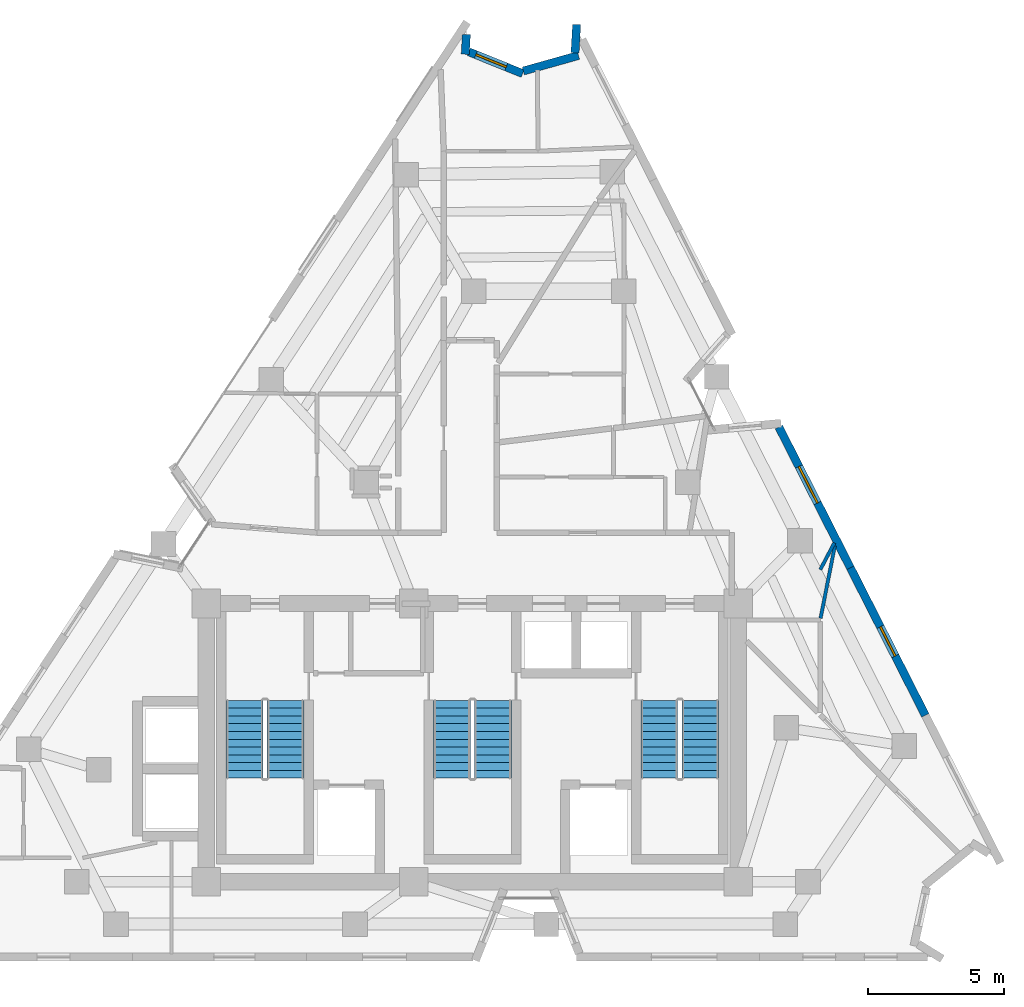
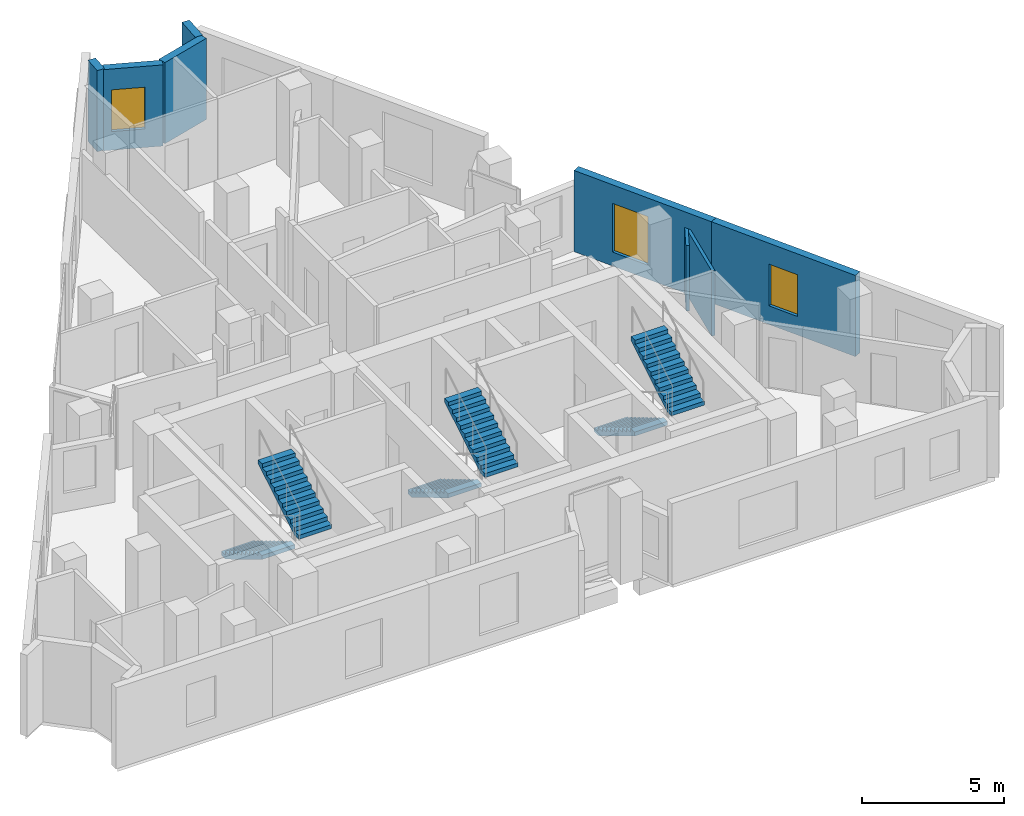
# One storey, part 8 of 9: 8 walls, 6 stair flights, 3 windows, 3 openings, 3 elements without a shape of their own.
"""IFC4 building model written with IfcOpenShell, lengths in metres."""

from ifc_helpers import new_model, si_unit, direction, frame, frame_2d, origin, place, context, subcontext, project, spatial, polyline, rectangle, outline, extrude, material, layer, layer_set, type_object, element, fill, aggregate, save


model = new_model("IFC4")

# Units and contexts
model_context = context("Model", 3, precision=1e-05, world=origin(), true_north=direction((0.0, 1.0)))
body_context = subcontext(model_context, "Body", "Model", "MODEL_VIEW")
ifc_project = project(units=[si_unit("LENGTHUNIT", "METRE"), si_unit("AREAUNIT", "SQUARE_METRE"), si_unit("VOLUMEUNIT", "CUBIC_METRE"), si_unit("PLANEANGLEUNIT", "RADIAN"), si_unit("MASSUNIT", "GRAM", prefix="KILO")], contexts=[model_context])

# Site, building, storey
site_placement = place(None, origin())
site = spatial("IfcSite", under=ifc_project, at=site_placement, CompositionType="ELEMENT")
building_placement = place(site_placement, origin())
building = spatial("IfcBuilding", under=site, at=building_placement, Name="Almagre Mirador Tower", CompositionType="ELEMENT")
storey_placement = place(building_placement, frame((0.0, 0.0, 244.5)))
storey = spatial("IfcBuildingStorey", under=building, at=storey_placement, Name="L63", CompositionType="ELEMENT", Elevation=244.5)

# Wall
ifc_material_1 = material(Name="Precast concrete C50/60", Category="concrete")
ifc_layer_1 = layer(ifc_material_1, 0.300048828125)
ifc_layer_set_1 = layer_set([ifc_layer_1], Name="Precast concrete C50/60")
wall_type_1 = type_object("IfcWallType", Name="WAL-EXT-300", PredefinedType="SOLIDWALL", material=ifc_layer_set_1)
wall_1_placement = place(storey_placement, frame((37.078857421875, 35.607666015625, 0.0), z_axis=(0.0, 0.0, 1.0), x_axis=(-0.056196862548, -0.998419707658, 0.0)))
element("IfcWall", 1, at=wall_1_placement, inside=storey, type_object=wall_type_1, Name="L63 expressed almagre precast frame wall 05", PredefinedType="SOLIDWALL", context=body_context, shape_type="SweptSolid", body=[
    extrude(rectangle(XDim=0.7255859375, YDim=0.300048828125, at=frame_2d((0.36279296875, 0.0))), origin(), (0.0, 0.0, 1.0), 3.5),
])

# Wall, opening, window
wall_2_placement = place(storey_placement, frame((37.171142578125, 34.972412109375, 0.0), z_axis=(0.0, 0.0, 1.0), x_axis=(0.927076098221, -0.37487318937, 0.0)))
wall_2 = element("IfcWall", 2, at=wall_2_placement, inside=storey, type_object=wall_type_1, Name="L63 expressed almagre precast frame wall 06", PredefinedType="SOLIDWALL", context=body_context, shape_type="SweptSolid", body=[
    extrude(rectangle(XDim=2.125732421875, YDim=0.300048828125, at=frame_2d((1.06298828125, 0.0))), origin(), (0.0, 0.0, 1.0), 3.5),
])
opening_1_placement = place(wall_2_placement, frame((0.27490234375, 0.0, 0.800048828125)))
opening_1 = element("IfcOpeningElement", 3, at=opening_1_placement, cuts=wall_2, Name="Opening WN-04", PredefinedType="OPENING", context=body_context, shape_type="SweptSolid", body=[
    extrude(rectangle(XDim=1.199951171875, YDim=1.800048828125, at=frame_2d((0.60009765625, 0.89990234375))), frame((0.0, 0.159902, 0.0), z_axis=(0.0, -1.0, 0.0), x_axis=(1.0, 0.0, 0.0)), (0.0, 0.0, 1.0), 0.320049),
])
ifc_material_2 = material(Name="Dark solar-control laminated hurricane glass", Category="glass")
window_type_1 = type_object("IfcWindowType", Name="WIN-1200X1800", PartitioningType="SINGLE_PANEL", PredefinedType="WINDOW", material=ifc_material_2)
window_1_placement = place(opening_1_placement, origin())
window_1 = element("IfcWindow", 4, at=window_1_placement, inside=storey, type_object=window_type_1, Name="L63 recessed hurricane window L63-UK-KT", OverallHeight=1.800048828125, OverallWidth=1.199951171875, PartitioningType="SINGLE_PANEL", PredefinedType="WINDOW", context=body_context, shape_type="SweptSolid", body=[
    extrude(rectangle(XDim=1.199951171875, YDim=1.800048828125, at=frame_2d((0.60009765625, 0.89990234375))), frame((0.0, 0.030029296875, 0.0), z_axis=(0.0, -1.0, 0.0), x_axis=(1.0, 0.0, 0.0)), (0.0, 0.0, 1.0), 0.06005859375),
])
fill(opening_1, window_1)

# Walls
wall_3_placement = place(storey_placement, frame((39.166015625, 34.27099609375, 0.0), z_axis=(0.0, 0.0, 1.0), x_axis=(0.962897602702, 0.269867016714, 0.0)))
element("IfcWall", 5, at=wall_3_placement, inside=storey, type_object=wall_type_1, Name="L63 expressed almagre precast frame wall 07", PredefinedType="SOLIDWALL", context=body_context, shape_type="SweptSolid", body=[
    extrude(rectangle(XDim=2.1005859375, YDim=0.300048828125, at=frame_2d((1.05029296875, 0.0))), origin(), (0.0, 0.0, 1.0), 3.5),
])
wall_4_placement = place(storey_placement, frame((41.0615234375, 34.934814453125, 0.0), z_axis=(0.0, 0.0, 1.0), x_axis=(0.056067679965, 0.998426970421, 0.0)))
element("IfcWall", 6, at=wall_4_placement, inside=storey, type_object=wall_type_1, Name="L63 expressed almagre precast frame wall 08", PredefinedType="SOLIDWALL", context=body_context, shape_type="SweptSolid", body=[
    extrude(rectangle(XDim=1.040771484375, YDim=0.300048828125, at=frame_2d((0.5205078125, 0.0))), origin(), (0.0, 0.0, 1.0), 3.5),
])

# Wall, opening, window
wall_5_placement = place(storey_placement, frame((48.533203125, 21.22265625, 0.0), z_axis=(0.0, 0.0, 1.0), x_axis=(0.452886731337, -0.891568061664, 0.0)))
wall_5 = element("IfcWall", 7, at=wall_5_placement, inside=storey, type_object=wall_type_1, Name="L63 expressed almagre precast frame wall 13", PredefinedType="SOLIDWALL", context=body_context, shape_type="SweptSolid", body=[
    extrude(rectangle(XDim=5.791748046875, YDim=0.300048828125, at=frame_2d((2.89599609375, 0.0))), origin(), (0.0, 0.0, 1.0), 3.5),
])
opening_2_placement = place(wall_5_placement, frame((1.625, 0.0, 0.60009765625)))
opening_2 = element("IfcOpeningElement", 8, at=opening_2_placement, cuts=wall_5, Name="Opening WN-03", PredefinedType="OPENING", context=body_context, shape_type="SweptSolid", body=[
    extrude(rectangle(XDim=1.5, YDim=2.10009765625, at=frame_2d((0.75, 1.050048828125))), frame((0.0, 0.159902, 0.0), z_axis=(0.0, -1.0, 0.0), x_axis=(1.0, 0.0, 0.0)), (0.0, 0.0, 1.0), 0.320049),
])
ifc_material_3 = material(Name="Dark solar-control laminated hurricane glass", Category="glass")
window_type_2 = type_object("IfcWindowType", Name="WIN-1500X2100", PartitioningType="DOUBLE_PANEL_VERTICAL", PredefinedType="WINDOW", material=ifc_material_3)
window_2_placement = place(opening_2_placement, origin())
window_2 = element("IfcWindow", 9, at=window_2_placement, inside=storey, type_object=window_type_2, Name="L63 recessed hurricane window L63-UE-ST", OverallHeight=2.10009765625, OverallWidth=1.5, PartitioningType="SINGLE_PANEL", PredefinedType="WINDOW", context=body_context, shape_type="SweptSolid", body=[
    extrude(rectangle(XDim=1.5, YDim=2.10009765625, at=frame_2d((0.75, 1.050048828125))), frame((0.0, 0.030029296875, 0.0), z_axis=(0.0, -1.0, 0.0), x_axis=(1.0, 0.0, 0.0)), (0.0, 0.0, 1.0), 0.06005859375),
])
fill(opening_2, window_2)

wall_6_placement = place(storey_placement, frame((51.15625, 16.058837890625, 0.0), z_axis=(0.0, 0.0, 1.0), x_axis=(0.452903032275, -0.891559781146, 0.0)))
wall_6 = element("IfcWall", 10, at=wall_6_placement, inside=storey, type_object=wall_type_1, Name="L63 expressed almagre precast frame wall 14", PredefinedType="SOLIDWALL", context=body_context, shape_type="SweptSolid", body=[
    extrude(rectangle(XDim=6.066650390625, YDim=0.300048828125, at=frame_2d((3.033203125, 0.0))), origin(), (0.0, 0.0, 1.0), 3.5),
])
opening_3_placement = place(wall_6_placement, frame((2.425048828125, 0.0, 0.800048828125)))
opening_3 = element("IfcOpeningElement", 11, at=opening_3_placement, cuts=wall_6, Name="Opening WN-04", PredefinedType="OPENING", context=body_context, shape_type="SweptSolid", body=[
    extrude(rectangle(XDim=1.199951171875, YDim=1.800048828125, at=frame_2d((0.60009765625, 0.89990234375))), frame((0.0, 0.159902, 0.0), z_axis=(0.0, -1.0, 0.0), x_axis=(1.0, 0.0, 0.0)), (0.0, 0.0, 1.0), 0.320049),
])
window_3_placement = place(opening_3_placement, origin())
window_3 = element("IfcWindow", 12, at=window_3_placement, inside=storey, type_object=window_type_1, Name="L63 recessed hurricane window L63-UE-KT", OverallHeight=1.800048828125, OverallWidth=1.199951171875, PartitioningType="SINGLE_PANEL", PredefinedType="WINDOW", context=body_context, shape_type="SweptSolid", body=[
    extrude(rectangle(XDim=1.199951171875, YDim=1.800048828125, at=frame_2d((0.60009765625, 0.89990234375))), frame((0.0, 0.030029296875, 0.0), z_axis=(0.0, -1.0, 0.0), x_axis=(1.0, 0.0, 0.0)), (0.0, 0.0, 1.0), 0.06005859375),
])
fill(opening_3, window_3)

# Walls
ifc_material_4 = material(Name="Gypsum acoustic stud partition", Category="other")
ifc_layer_2 = layer(ifc_material_4, 0.125)
ifc_layer_set_2 = layer_set([ifc_layer_2], Name="Gypsum acoustic stud partition")
wall_type_2 = type_object("IfcWallType", Name="WAL-PRT-125-UTL", PredefinedType="PARTITIONING", material=ifc_layer_set_2)
wall_7_placement = place(storey_placement, frame((50.061279296875, 14.208984375, 0.0), z_axis=(0.0, 0.0, 1.0), x_axis=(0.193465351017, 0.9811071083, 0.0)))
element("IfcWall", 13, at=wall_7_placement, inside=storey, type_object=wall_type_2, Name="L63 interior partition 040", PredefinedType="PARTITIONING", context=body_context, shape_type="SweptSolid", body=[
    extrude(rectangle(XDim=2.710693359375, YDim=0.125, at=frame_2d((1.35546875, 0.0))), origin(), (0.0, 0.0, 1.0), 2.820068359375),
])
wall_8_placement = place(storey_placement, frame((50.050048828125, 15.990966796875, 0.0), z_axis=(0.0, 0.0, 1.0), x_axis=(0.465482610459, 0.88505702605, 0.0)))
element("IfcWall", 14, at=wall_8_placement, inside=storey, type_object=wall_type_2, Name="L63 interior partition 069", PredefinedType="PARTITIONING", context=body_context, shape_type="SweptSolid", body=[
    extrude(rectangle(XDim=1.106201171875, YDim=0.125, at=frame_2d((0.55322265625, 0.0))), origin(), (0.0, 0.0, 1.0), 2.820068359375),
])

# Stair, stair flights
ifc_material_5 = material(Name="Concrete C45/55", Category="concrete")
stair_type = type_object("IfcStairType", Name="STR-DL-3750", PredefinedType="HALF_TURN_STAIR", material=ifc_material_5)
stair_1_placement = place(storey_placement, origin())
stair_1 = element("IfcStair", 15, at=stair_1_placement, inside=storey, type_object=stair_type, Name="L63 Protected exit stair ST-1", PredefinedType="HALF_TURN_STAIR")
ifc_material_6 = material(Name="Concrete C45/55", Category="concrete")
stair_flight_type = type_object("IfcStairFlightType", Name="FLT-DL-3750", PredefinedType="STRAIGHT", material=ifc_material_6)
stair_flight_1_placement = place(storey_placement, frame((28.949951171875, 11.199951171875, 0.0), z_axis=(0.0, 0.0, 1.0), x_axis=(0.0, -1.0, 0.0)))
stair_flight_1 = element("IfcStairFlight", 16, at=stair_flight_1_placement, type_object=stair_flight_type, Name="ST-1 flight 1", NumberOfRisers=11, NumberOfTreads=10, PredefinedType="STRAIGHT", RiserHeight=0.170454545, TreadLength=0.285, context=body_context, shape_type="SweptSolid", body=[
    extrude(outline(polyline([(0.0, 0.0), (0.0, 0.17041015625), (0.284912109375, 0.17041015625), (0.284912109375, 0.3408203125), (0.570068359375, 0.3408203125), (0.570068359375, 0.511474609375), (0.85498046875, 0.511474609375), (0.85498046875, 0.681884765625), (1.139892578125, 0.681884765625), (1.139892578125, 0.852294921875), (1.425048828125, 0.852294921875), (1.425048828125, 1.022705078125), (1.7099609375, 1.022705078125), (1.7099609375, 1.193115234375), (1.9951171875, 1.193115234375), (1.9951171875, 1.363525390625), (2.280029296875, 1.363525390625), (2.280029296875, 1.5341796875), (2.56494140625, 1.5341796875), (2.56494140625, 1.70458984375), (2.85009765625, 1.70458984375), (2.85009765625, 1.875), (2.85009765625, 1.52978515625), (0.2919921875, 0.0), (0.0, 0.0)])), frame((0.0, 0.675048828125, 0.0), z_axis=(0.0, -1.0, 0.0), x_axis=(1.0, 0.0, 0.0)), (0.0, 0.0, 1.0), 1.35009765625),
])
stair_flight_2_placement = place(storey_placement, frame((30.449951171875, 8.35009765625, 1.875), z_axis=(0.0, 0.0, 1.0), x_axis=(0.0, 1.0, 0.0)))
stair_flight_2 = element("IfcStairFlight", 17, at=stair_flight_2_placement, type_object=stair_flight_type, Name="ST-1 flight 2", NumberOfRisers=11, NumberOfTreads=10, PredefinedType="STRAIGHT", RiserHeight=0.170454545, TreadLength=0.285, context=body_context, shape_type="SweptSolid", body=[
    extrude(outline(polyline([(0.0, 0.0), (0.0, 0.17041015625), (0.284912109375, 0.17041015625), (0.284912109375, 0.3408203125), (0.570068359375, 0.3408203125), (0.570068359375, 0.511474609375), (0.85498046875, 0.511474609375), (0.85498046875, 0.681884765625), (1.139892578125, 0.681884765625), (1.139892578125, 0.852294921875), (1.425048828125, 0.852294921875), (1.425048828125, 1.022705078125), (1.7099609375, 1.022705078125), (1.7099609375, 1.193115234375), (1.9951171875, 1.193115234375), (1.9951171875, 1.363525390625), (2.280029296875, 1.363525390625), (2.280029296875, 1.5341796875), (2.56494140625, 1.5341796875), (2.56494140625, 1.70458984375), (2.85009765625, 1.70458984375), (2.85009765625, 1.875), (2.85009765625, 1.52978515625), (0.2919921875, 0.0), (0.0, 0.0)])), frame((0.0, 0.675048828125, 0.0), z_axis=(0.0, -1.0, 0.0), x_axis=(1.0, 0.0, 0.0)), (0.0, 0.0, 1.0), 1.35009765625),
])
aggregate(stair_1, [stair_flight_1, stair_flight_2])

stair_2_placement = place(storey_placement, origin())
stair_2 = element("IfcStair", 18, at=stair_2_placement, inside=storey, type_object=stair_type, Name="L63 Protected exit stair ST-2", PredefinedType="HALF_TURN_STAIR")
stair_flight_3_placement = place(storey_placement, frame((36.550048828125, 11.199951171875, 0.0), z_axis=(0.0, 0.0, 1.0), x_axis=(0.0, -1.0, 0.0)))
stair_flight_3 = element("IfcStairFlight", 19, at=stair_flight_3_placement, type_object=stair_flight_type, Name="ST-2 flight 1", NumberOfRisers=11, NumberOfTreads=10, PredefinedType="STRAIGHT", RiserHeight=0.170454545, TreadLength=0.285, context=body_context, shape_type="SweptSolid", body=[
    extrude(outline(polyline([(0.0, 0.0), (0.0, 0.17041015625), (0.284912109375, 0.17041015625), (0.284912109375, 0.3408203125), (0.570068359375, 0.3408203125), (0.570068359375, 0.511474609375), (0.85498046875, 0.511474609375), (0.85498046875, 0.681884765625), (1.139892578125, 0.681884765625), (1.139892578125, 0.852294921875), (1.425048828125, 0.852294921875), (1.425048828125, 1.022705078125), (1.7099609375, 1.022705078125), (1.7099609375, 1.193115234375), (1.9951171875, 1.193115234375), (1.9951171875, 1.363525390625), (2.280029296875, 1.363525390625), (2.280029296875, 1.5341796875), (2.56494140625, 1.5341796875), (2.56494140625, 1.70458984375), (2.85009765625, 1.70458984375), (2.85009765625, 1.875), (2.85009765625, 1.52978515625), (0.2919921875, 0.0), (0.0, 0.0)])), frame((0.0, 0.675048828125, 0.0), z_axis=(0.0, -1.0, 0.0), x_axis=(1.0, 0.0, 0.0)), (0.0, 0.0, 1.0), 1.35009765625),
])
stair_flight_4_placement = place(storey_placement, frame((38.050048828125, 8.35009765625, 1.875), z_axis=(0.0, 0.0, 1.0), x_axis=(0.0, 1.0, 0.0)))
stair_flight_4 = element("IfcStairFlight", 20, at=stair_flight_4_placement, type_object=stair_flight_type, Name="ST-2 flight 2", NumberOfRisers=11, NumberOfTreads=10, PredefinedType="STRAIGHT", RiserHeight=0.170454545, TreadLength=0.285, context=body_context, shape_type="SweptSolid", body=[
    extrude(outline(polyline([(0.0, 0.0), (0.0, 0.17041015625), (0.284912109375, 0.17041015625), (0.284912109375, 0.3408203125), (0.570068359375, 0.3408203125), (0.570068359375, 0.511474609375), (0.85498046875, 0.511474609375), (0.85498046875, 0.681884765625), (1.139892578125, 0.681884765625), (1.139892578125, 0.852294921875), (1.425048828125, 0.852294921875), (1.425048828125, 1.022705078125), (1.7099609375, 1.022705078125), (1.7099609375, 1.193115234375), (1.9951171875, 1.193115234375), (1.9951171875, 1.363525390625), (2.280029296875, 1.363525390625), (2.280029296875, 1.5341796875), (2.56494140625, 1.5341796875), (2.56494140625, 1.70458984375), (2.85009765625, 1.70458984375), (2.85009765625, 1.875), (2.85009765625, 1.52978515625), (0.2919921875, 0.0), (0.0, 0.0)])), frame((0.0, 0.675048828125, 0.0), z_axis=(0.0, -1.0, 0.0), x_axis=(1.0, 0.0, 0.0)), (0.0, 0.0, 1.0), 1.35009765625),
])
aggregate(stair_2, [stair_flight_3, stair_flight_4])

stair_3_placement = place(storey_placement, origin())
stair_3 = element("IfcStair", 21, at=stair_3_placement, inside=storey, type_object=stair_type, Name="L63 Protected exit stair ST-3", PredefinedType="HALF_TURN_STAIR")
stair_flight_5_placement = place(storey_placement, frame((44.14990234375, 11.199951171875, 0.0), z_axis=(0.0, 0.0, 1.0), x_axis=(0.0, -1.0, 0.0)))
stair_flight_5 = element("IfcStairFlight", 22, at=stair_flight_5_placement, type_object=stair_flight_type, Name="ST-3 flight 1", NumberOfRisers=11, NumberOfTreads=10, PredefinedType="STRAIGHT", RiserHeight=0.170454545, TreadLength=0.285, context=body_context, shape_type="SweptSolid", body=[
    extrude(outline(polyline([(0.0, 0.0), (0.0, 0.17041015625), (0.284912109375, 0.17041015625), (0.284912109375, 0.3408203125), (0.570068359375, 0.3408203125), (0.570068359375, 0.511474609375), (0.85498046875, 0.511474609375), (0.85498046875, 0.681884765625), (1.139892578125, 0.681884765625), (1.139892578125, 0.852294921875), (1.425048828125, 0.852294921875), (1.425048828125, 1.022705078125), (1.7099609375, 1.022705078125), (1.7099609375, 1.193115234375), (1.9951171875, 1.193115234375), (1.9951171875, 1.363525390625), (2.280029296875, 1.363525390625), (2.280029296875, 1.5341796875), (2.56494140625, 1.5341796875), (2.56494140625, 1.70458984375), (2.85009765625, 1.70458984375), (2.85009765625, 1.875), (2.85009765625, 1.52978515625), (0.2919921875, 0.0), (0.0, 0.0)])), frame((0.0, 0.675048828125, 0.0), z_axis=(0.0, -1.0, 0.0), x_axis=(1.0, 0.0, 0.0)), (0.0, 0.0, 1.0), 1.35009765625),
])
stair_flight_6_placement = place(storey_placement, frame((45.64990234375, 8.35009765625, 1.875), z_axis=(0.0, 0.0, 1.0), x_axis=(0.0, 1.0, 0.0)))
stair_flight_6 = element("IfcStairFlight", 23, at=stair_flight_6_placement, type_object=stair_flight_type, Name="ST-3 flight 2", NumberOfRisers=11, NumberOfTreads=10, PredefinedType="STRAIGHT", RiserHeight=0.170454545, TreadLength=0.285, context=body_context, shape_type="SweptSolid", body=[
    extrude(outline(polyline([(0.0, 0.0), (0.0, 0.17041015625), (0.284912109375, 0.17041015625), (0.284912109375, 0.3408203125), (0.570068359375, 0.3408203125), (0.570068359375, 0.511474609375), (0.85498046875, 0.511474609375), (0.85498046875, 0.681884765625), (1.139892578125, 0.681884765625), (1.139892578125, 0.852294921875), (1.425048828125, 0.852294921875), (1.425048828125, 1.022705078125), (1.7099609375, 1.022705078125), (1.7099609375, 1.193115234375), (1.9951171875, 1.193115234375), (1.9951171875, 1.363525390625), (2.280029296875, 1.363525390625), (2.280029296875, 1.5341796875), (2.56494140625, 1.5341796875), (2.56494140625, 1.70458984375), (2.85009765625, 1.70458984375), (2.85009765625, 1.875), (2.85009765625, 1.52978515625), (0.2919921875, 0.0), (0.0, 0.0)])), frame((0.0, 0.675048828125, 0.0), z_axis=(0.0, -1.0, 0.0), x_axis=(1.0, 0.0, 0.0)), (0.0, 0.0, 1.0), 1.35009765625),
])
aggregate(stair_3, [stair_flight_5, stair_flight_6])

save(model, "model.ifc")
